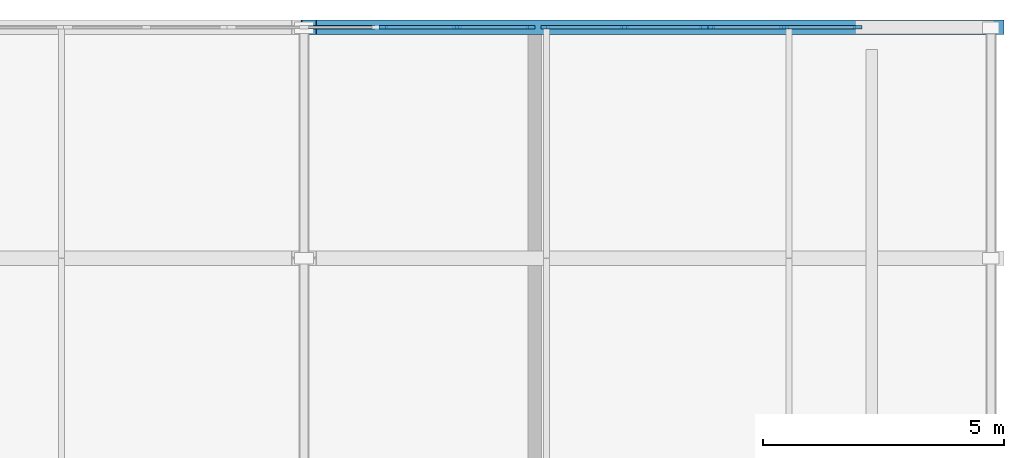
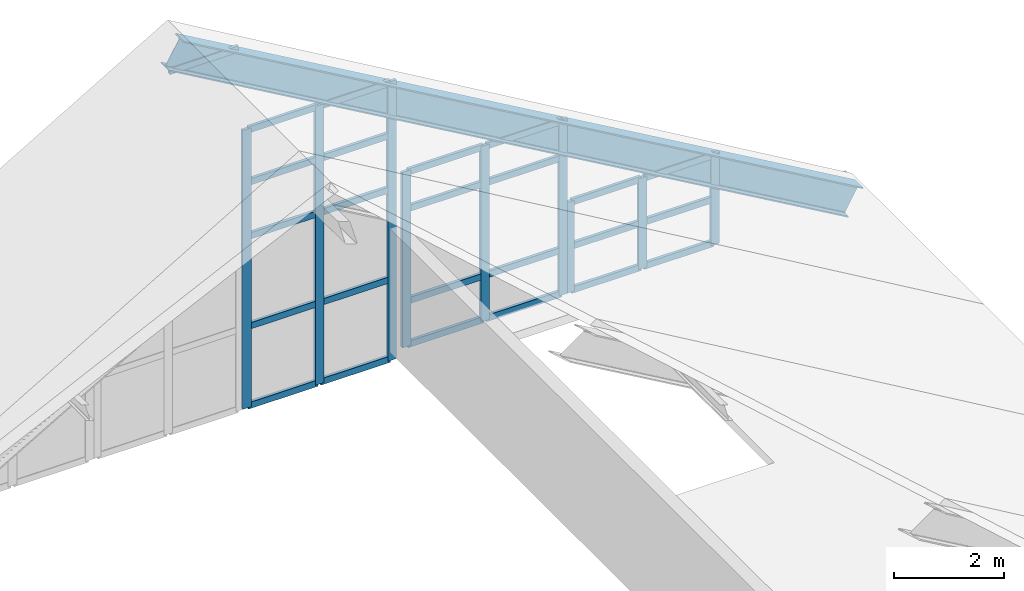
# One storey, part 4 of 7: 35 members, 4 elements without a shape of their own.
"""IFC4 building model written with IfcOpenShell, lengths in metres."""

from ifc_helpers import new_model, si_unit, direction, frame, origin, origin_2d, place, context, subcontext, project, spatial, rectangle, i_section, extrude, material, layer, layer_set, material_profile, profile_set, type_object, element, aggregate, save


model = new_model("IFC4")

# Units and contexts
model_context = context("Model", 3, precision=1e-05, world=origin(), true_north=direction((0.0, 1.0)))
body_context = subcontext(model_context, "Body", "Model", "MODEL_VIEW")
ifc_project = project(units=[si_unit("LENGTHUNIT", "METRE"), si_unit("AREAUNIT", "SQUARE_METRE"), si_unit("VOLUMEUNIT", "CUBIC_METRE"), si_unit("PLANEANGLEUNIT", "RADIAN"), si_unit("MASSUNIT", "GRAM", prefix="KILO")], contexts=[model_context])

# Site, building, storey
site_placement = place(None, origin())
site = spatial("IfcSite", under=ifc_project, at=site_placement, CompositionType="ELEMENT")
building_placement = place(site_placement, origin())
building = spatial("IfcBuilding", under=site, at=building_placement, Name="Nordkorset Police Headquarters", CompositionType="ELEMENT")
storey_placement = place(building_placement, frame((0.0, 0.0, 36.050048828125)))
storey = spatial("IfcBuildingStorey", under=building, at=storey_placement, Name="RF", CompositionType="ELEMENT", Elevation=36.050048828125)

# Curtain wall, members
ifc_material_1 = material(Name="Aluminium alloy AW-6060", Category="aluminium")
ifc_layer_1 = layer(ifc_material_1, 0.179931640625, Name="Aluminium alloy AW-6060")
ifc_layer_set_1 = layer_set([ifc_layer_1], Name="Aluminium alloy AW-6060")
curtain_wall_type_1 = type_object("IfcCurtainWallType", Name="CW_Unit_312x620", PredefinedType="USERDEFINED", material=ifc_layer_set_1)
curtain_wall_1_placement = place(storey_placement, origin())
curtain_wall_1 = element("IfcCurtainWall", 1, at=curtain_wall_1_placement, inside=storey, type_object=curtain_wall_type_1, Name="Unitised Curtain Wall RF V1GBL-N-G5", ObjectType="UNITISED CURTAIN WALL", PredefinedType="USERDEFINED")
ifc_material_2 = material(Name="Aluminium alloy AW-6060", Category="aluminium")
ifc_material_profile_1 = material_profile(ifc_material_2, rectangle(XDim=0.06494140625, YDim=0.179931640625, at=origin_2d()), Name="ALU MULL 65x180")
ifc_profile_set_1 = profile_set([ifc_material_profile_1], Name="Aluminium alloy AW-6060")
member_type_1 = type_object("IfcMemberType", Name="CW_Mullion_65x180", PredefinedType="MULLION", material=ifc_profile_set_1)
member_1_placement = place(storey_placement, frame((16.052490234375, 116.800048828125, -0.18994140625), z_axis=(0.0, 0.0, 1.0), x_axis=(0.0, 1.0, 0.0)))
member_1 = element("IfcMember", 2, at=member_1_placement, type_object=member_type_1, Name="CW-44 mullion 1", PredefinedType="MULLION", context=body_context, shape_type="SweptSolid", body=[
    extrude(rectangle(XDim=0.06494140625, YDim=0.179931640625, at=origin_2d()), origin(), (0.0, 0.0, 1.0), 6.20166015625),
])
member_2_placement = place(storey_placement, frame((17.580078125, 116.800048828125, -0.18994140625), z_axis=(0.0, 0.0, 1.0), x_axis=(0.0, 1.0, 0.0)))
member_2 = element("IfcMember", 3, at=member_2_placement, type_object=member_type_1, Name="CW-44 mullion 2", PredefinedType="MULLION", context=body_context, shape_type="SweptSolid", body=[
    extrude(rectangle(XDim=0.06494140625, YDim=0.179931640625, at=origin_2d()), origin(), (0.0, 0.0, 1.0), 6.20166015625),
])
member_3_placement = place(storey_placement, frame((19.107421875, 116.800048828125, -0.18994140625), z_axis=(0.0, 0.0, 1.0), x_axis=(0.0, 1.0, 0.0)))
member_3 = element("IfcMember", 4, at=member_3_placement, type_object=member_type_1, Name="CW-44 mullion 3", PredefinedType="MULLION", context=body_context, shape_type="SweptSolid", body=[
    extrude(rectangle(XDim=0.06494140625, YDim=0.179931640625, at=origin_2d()), origin(), (0.0, 0.0, 1.0), 6.20166015625),
])

ifc_material_3 = material(Name="Aluminium alloy AW-6060", Category="aluminium")
ifc_layer_2 = layer(ifc_material_3, 0.179931640625, Name="Aluminium alloy AW-6060")
ifc_layer_set_2 = layer_set([ifc_layer_2], Name="Aluminium alloy AW-6060")
curtain_wall_type_2 = type_object("IfcCurtainWallType", Name="CW_Unit_336x390", PredefinedType="USERDEFINED", material=ifc_layer_set_2)
curtain_wall_2_placement = place(storey_placement, origin())
curtain_wall_2 = element("IfcCurtainWall", 5, at=curtain_wall_2_placement, inside=storey, type_object=curtain_wall_type_2, Name="Unitised Curtain Wall RF V1GBL-N-G6", ObjectType="UNITISED CURTAIN WALL", PredefinedType="USERDEFINED")
member_4_placement = place(storey_placement, frame((19.41259765625, 116.800048828125, 0.0), z_axis=(0.0, 0.0, 1.0), x_axis=(0.0, 1.0, 0.0)))
member_4 = element("IfcMember", 6, at=member_4_placement, type_object=member_type_1, Name="CW-62 mullion 1", PredefinedType="MULLION", context=body_context, shape_type="SweptSolid", body=[
    extrude(rectangle(XDim=0.06494140625, YDim=0.179931640625, at=origin_2d()), origin(), (0.0, 0.0, 1.0), 3.899169921875),
])
member_5_placement = place(storey_placement, frame((21.06005859375, 116.800048828125, 0.0), z_axis=(0.0, 0.0, 1.0), x_axis=(0.0, 1.0, 0.0)))
member_5 = element("IfcMember", 7, at=member_5_placement, type_object=member_type_1, Name="CW-62 mullion 2", PredefinedType="MULLION", context=body_context, shape_type="SweptSolid", body=[
    extrude(rectangle(XDim=0.06494140625, YDim=0.179931640625, at=origin_2d()), origin(), (0.0, 0.0, 1.0), 3.899169921875),
])
member_6_placement = place(storey_placement, frame((22.70751953125, 116.800048828125, 0.0), z_axis=(0.0, 0.0, 1.0), x_axis=(0.0, 1.0, 0.0)))
member_6 = element("IfcMember", 8, at=member_6_placement, type_object=member_type_1, Name="CW-62 mullion 3", PredefinedType="MULLION", context=body_context, shape_type="SweptSolid", body=[
    extrude(rectangle(XDim=0.06494140625, YDim=0.179931640625, at=origin_2d()), origin(), (0.0, 0.0, 1.0), 3.899169921875),
])

ifc_material_4 = material(Name="Aluminium alloy AW-6060", Category="aluminium")
ifc_layer_3 = layer(ifc_material_4, 0.179931640625, Name="Aluminium alloy AW-6060")
ifc_layer_set_3 = layer_set([ifc_layer_3], Name="Aluminium alloy AW-6060")
curtain_wall_type_3 = type_object("IfcCurtainWallType", Name="CW_Unit_312x202", PredefinedType="USERDEFINED", material=ifc_layer_set_3)
curtain_wall_3_placement = place(storey_placement, origin())
curtain_wall_3 = element("IfcCurtainWall", 9, at=curtain_wall_3_placement, inside=storey, type_object=curtain_wall_type_3, Name="Unitised Curtain Wall RF V1GBL-N-G7", ObjectType="UNITISED CURTAIN WALL", PredefinedType="USERDEFINED")
member_7_placement = place(storey_placement, frame((22.8525390625, 116.800048828125, 0.0), z_axis=(0.0, 0.0, 1.0), x_axis=(0.0, 1.0, 0.0)))
member_7 = element("IfcMember", 10, at=member_7_placement, type_object=member_type_1, Name="CW-27 mullion 1", PredefinedType="MULLION", context=body_context, shape_type="SweptSolid", body=[
    extrude(rectangle(XDim=0.06494140625, YDim=0.179931640625, at=origin_2d()), origin(), (0.0, 0.0, 1.0), 2.021484375),
])
member_8_placement = place(storey_placement, frame((24.3798828125, 116.800048828125, 0.0), z_axis=(0.0, 0.0, 1.0), x_axis=(0.0, 1.0, 0.0)))
member_8 = element("IfcMember", 11, at=member_8_placement, type_object=member_type_1, Name="CW-27 mullion 2", PredefinedType="MULLION", context=body_context, shape_type="SweptSolid", body=[
    extrude(rectangle(XDim=0.06494140625, YDim=0.179931640625, at=origin_2d()), origin(), (0.0, 0.0, 1.0), 2.021484375),
])
member_9_placement = place(storey_placement, frame((25.907470703125, 116.800048828125, 0.0), z_axis=(0.0, 0.0, 1.0), x_axis=(0.0, 1.0, 0.0)))
member_9 = element("IfcMember", 12, at=member_9_placement, type_object=member_type_1, Name="CW-27 mullion 3", PredefinedType="MULLION", context=body_context, shape_type="SweptSolid", body=[
    extrude(rectangle(XDim=0.06494140625, YDim=0.179931640625, at=origin_2d()), origin(), (0.0, 0.0, 1.0), 2.021484375),
])

# Curtain wall, member
ifc_material_5 = material(Name="Aluminium alloy AW-6060", Category="aluminium")
ifc_layer_4 = layer(ifc_material_5, 0.179931640625, Name="Aluminium alloy AW-6060")
ifc_layer_set_4 = layer_set([ifc_layer_4], Name="Aluminium alloy AW-6060")
curtain_wall_type_4 = type_object("IfcCurtainWallType", Name="CW_Unit_308x808", PredefinedType="USERDEFINED", material=ifc_layer_set_4)
curtain_wall_4_placement = place(storey_placement, origin())
curtain_wall_4 = element("IfcCurtainWall", 13, at=curtain_wall_4_placement, inside=storey, type_object=curtain_wall_type_4, Name="Unitised Curtain Wall RF V1GBL-N-G4", ObjectType="UNITISED CURTAIN WALL", PredefinedType="USERDEFINED")
ifc_material_6 = material(Name="Aluminium alloy AW-6060", Category="aluminium")
ifc_material_profile_2 = material_profile(ifc_material_6, rectangle(XDim=0.06494140625, YDim=0.139892578125, at=origin_2d()), Name="ALU TRAN 65x140")
ifc_profile_set_2 = profile_set([ifc_material_profile_2], Name="Aluminium alloy AW-6060")
member_type_2 = type_object("IfcMemberType", Name="CW_Transom_65x140", PredefinedType="USERDEFINED", material=ifc_profile_set_2)
member_10_placement = place(storey_placement, frame((14.4326171875, 116.800048828125, 7.85693359375), z_axis=(1.0, 0.0, 0.0), x_axis=(0.0, 1.0, 0.0)))
member_10 = element("IfcMember", 14, at=member_10_placement, type_object=member_type_2, Name="CW-30 transom 2.5", ObjectType="TRANSOM", PredefinedType="USERDEFINED", context=body_context, shape_type="SweptSolid", body=[
    extrude(rectangle(XDim=0.06494140625, YDim=0.139892578125, at=origin_2d()), origin(), (0.0, 0.0, 1.0), 1.4423828125),
])
aggregate(curtain_wall_4, [member_10])

# Member
member_11_placement = place(storey_placement, frame((16.0849609375, 116.800048828125, -0.157470703125), z_axis=(1.0, 0.0, 0.0), x_axis=(0.0, 1.0, 0.0)))
member_11 = element("IfcMember", 15, at=member_11_placement, type_object=member_type_2, Name="CW-44 transom 1.1", ObjectType="TRANSOM", PredefinedType="USERDEFINED", context=body_context, shape_type="SweptSolid", body=[
    extrude(rectangle(XDim=0.06494140625, YDim=0.139892578125, at=origin_2d()), origin(), (0.0, 0.0, 1.0), 1.462646484375),
])

member_12_placement = place(storey_placement, frame((16.0849609375, 116.800048828125, 1.60986328125), z_axis=(1.0, 0.0, 0.0), x_axis=(0.0, 1.0, 0.0)))
member_12 = element("IfcMember", 16, at=member_12_placement, type_object=member_type_2, Name="CW-44 transom 1.2", ObjectType="TRANSOM", PredefinedType="USERDEFINED", context=body_context, shape_type="SweptSolid", body=[
    extrude(rectangle(XDim=0.06494140625, YDim=0.139892578125, at=origin_2d()), origin(), (0.0, 0.0, 1.0), 1.462646484375),
])

member_13_placement = place(storey_placement, frame((16.0849609375, 116.800048828125, 3.60986328125), z_axis=(1.0, 0.0, 0.0), x_axis=(0.0, 1.0, 0.0)))
member_13 = element("IfcMember", 17, at=member_13_placement, type_object=member_type_2, Name="CW-44 transom 1.3", ObjectType="TRANSOM", PredefinedType="USERDEFINED", context=body_context, shape_type="SweptSolid", body=[
    extrude(rectangle(XDim=0.06494140625, YDim=0.139892578125, at=origin_2d()), origin(), (0.0, 0.0, 1.0), 1.462646484375),
])

member_14_placement = place(storey_placement, frame((16.0849609375, 116.800048828125, 4.811767578125), z_axis=(1.0, 0.0, 0.0), x_axis=(0.0, 1.0, 0.0)))
member_14 = element("IfcMember", 18, at=member_14_placement, type_object=member_type_2, Name="CW-44 transom 1.4", ObjectType="TRANSOM", PredefinedType="USERDEFINED", context=body_context, shape_type="SweptSolid", body=[
    extrude(rectangle(XDim=0.06494140625, YDim=0.139892578125, at=origin_2d()), origin(), (0.0, 0.0, 1.0), 1.462646484375),
])

member_15_placement = place(storey_placement, frame((16.0849609375, 116.800048828125, 5.979248046875), z_axis=(1.0, 0.0, 0.0), x_axis=(0.0, 1.0, 0.0)))
member_15 = element("IfcMember", 19, at=member_15_placement, type_object=member_type_2, Name="CW-44 transom 1.5", ObjectType="TRANSOM", PredefinedType="USERDEFINED", context=body_context, shape_type="SweptSolid", body=[
    extrude(rectangle(XDim=0.06494140625, YDim=0.139892578125, at=origin_2d()), origin(), (0.0, 0.0, 1.0), 1.462646484375),
])

member_16_placement = place(storey_placement, frame((17.612548828125, 116.800048828125, -0.157470703125), z_axis=(1.0, 0.0, 0.0), x_axis=(0.0, 1.0, 0.0)))
member_16 = element("IfcMember", 20, at=member_16_placement, type_object=member_type_2, Name="CW-44 transom 2.1", ObjectType="TRANSOM", PredefinedType="USERDEFINED", context=body_context, shape_type="SweptSolid", body=[
    extrude(rectangle(XDim=0.06494140625, YDim=0.139892578125, at=origin_2d()), origin(), (0.0, 0.0, 1.0), 1.46240234375),
])

member_17_placement = place(storey_placement, frame((17.612548828125, 116.800048828125, 1.60986328125), z_axis=(1.0, 0.0, 0.0), x_axis=(0.0, 1.0, 0.0)))
member_17 = element("IfcMember", 21, at=member_17_placement, type_object=member_type_2, Name="CW-44 transom 2.2", ObjectType="TRANSOM", PredefinedType="USERDEFINED", context=body_context, shape_type="SweptSolid", body=[
    extrude(rectangle(XDim=0.06494140625, YDim=0.139892578125, at=origin_2d()), origin(), (0.0, 0.0, 1.0), 1.46240234375),
])

member_18_placement = place(storey_placement, frame((17.612548828125, 116.800048828125, 3.60986328125), z_axis=(1.0, 0.0, 0.0), x_axis=(0.0, 1.0, 0.0)))
member_18 = element("IfcMember", 22, at=member_18_placement, type_object=member_type_2, Name="CW-44 transom 2.3", ObjectType="TRANSOM", PredefinedType="USERDEFINED", context=body_context, shape_type="SweptSolid", body=[
    extrude(rectangle(XDim=0.06494140625, YDim=0.139892578125, at=origin_2d()), origin(), (0.0, 0.0, 1.0), 1.46240234375),
])

member_19_placement = place(storey_placement, frame((17.612548828125, 116.800048828125, 4.811767578125), z_axis=(1.0, 0.0, 0.0), x_axis=(0.0, 1.0, 0.0)))
member_19 = element("IfcMember", 23, at=member_19_placement, type_object=member_type_2, Name="CW-44 transom 2.4", ObjectType="TRANSOM", PredefinedType="USERDEFINED", context=body_context, shape_type="SweptSolid", body=[
    extrude(rectangle(XDim=0.06494140625, YDim=0.139892578125, at=origin_2d()), origin(), (0.0, 0.0, 1.0), 1.46240234375),
])

member_20_placement = place(storey_placement, frame((17.612548828125, 116.800048828125, 5.979248046875), z_axis=(1.0, 0.0, 0.0), x_axis=(0.0, 1.0, 0.0)))
member_20 = element("IfcMember", 24, at=member_20_placement, type_object=member_type_2, Name="CW-44 transom 2.5", ObjectType="TRANSOM", PredefinedType="USERDEFINED", context=body_context, shape_type="SweptSolid", body=[
    extrude(rectangle(XDim=0.06494140625, YDim=0.139892578125, at=origin_2d()), origin(), (0.0, 0.0, 1.0), 1.46240234375),
])

aggregate(curtain_wall_1, [member_1, member_2, member_3, member_11, member_12, member_13, member_14, member_15, member_16, member_17, member_18, member_19, member_20])

member_21_placement = place(storey_placement, frame((19.445068359375, 116.800048828125, 0.032470703125), z_axis=(1.0, 0.0, 0.0), x_axis=(0.0, 1.0, 0.0)))
member_21 = element("IfcMember", 25, at=member_21_placement, type_object=member_type_2, Name="CW-62 transom 1.1", ObjectType="TRANSOM", PredefinedType="USERDEFINED", context=body_context, shape_type="SweptSolid", body=[
    extrude(rectangle(XDim=0.06494140625, YDim=0.139892578125, at=origin_2d()), origin(), (0.0, 0.0, 1.0), 1.58251953125),
])

member_22_placement = place(storey_placement, frame((19.445068359375, 116.800048828125, 1.0), z_axis=(1.0, 0.0, 0.0), x_axis=(0.0, 1.0, 0.0)))
member_22 = element("IfcMember", 26, at=member_22_placement, type_object=member_type_2, Name="CW-62 transom 1.2", ObjectType="TRANSOM", PredefinedType="USERDEFINED", context=body_context, shape_type="SweptSolid", body=[
    extrude(rectangle(XDim=0.06494140625, YDim=0.139892578125, at=origin_2d()), origin(), (0.0, 0.0, 1.0), 1.58251953125),
])

member_23_placement = place(storey_placement, frame((19.445068359375, 116.800048828125, 3.04931640625), z_axis=(1.0, 0.0, 0.0), x_axis=(0.0, 1.0, 0.0)))
member_23 = element("IfcMember", 27, at=member_23_placement, type_object=member_type_2, Name="CW-62 transom 1.3", ObjectType="TRANSOM", PredefinedType="USERDEFINED", context=body_context, shape_type="SweptSolid", body=[
    extrude(rectangle(XDim=0.06494140625, YDim=0.139892578125, at=origin_2d()), origin(), (0.0, 0.0, 1.0), 1.58251953125),
])

member_24_placement = place(storey_placement, frame((19.445068359375, 116.800048828125, 3.86669921875), z_axis=(1.0, 0.0, 0.0), x_axis=(0.0, 1.0, 0.0)))
member_24 = element("IfcMember", 28, at=member_24_placement, type_object=member_type_2, Name="CW-62 transom 1.4", ObjectType="TRANSOM", PredefinedType="USERDEFINED", context=body_context, shape_type="SweptSolid", body=[
    extrude(rectangle(XDim=0.06494140625, YDim=0.139892578125, at=origin_2d()), origin(), (0.0, 0.0, 1.0), 1.58251953125),
])

member_25_placement = place(storey_placement, frame((21.092529296875, 116.800048828125, 0.032470703125), z_axis=(1.0, 0.0, 0.0), x_axis=(0.0, 1.0, 0.0)))
member_25 = element("IfcMember", 29, at=member_25_placement, type_object=member_type_2, Name="CW-62 transom 2.1", ObjectType="TRANSOM", PredefinedType="USERDEFINED", context=body_context, shape_type="SweptSolid", body=[
    extrude(rectangle(XDim=0.06494140625, YDim=0.139892578125, at=origin_2d()), origin(), (0.0, 0.0, 1.0), 1.58251953125),
])

member_26_placement = place(storey_placement, frame((21.092529296875, 116.800048828125, 1.0), z_axis=(1.0, 0.0, 0.0), x_axis=(0.0, 1.0, 0.0)))
member_26 = element("IfcMember", 30, at=member_26_placement, type_object=member_type_2, Name="CW-62 transom 2.2", ObjectType="TRANSOM", PredefinedType="USERDEFINED", context=body_context, shape_type="SweptSolid", body=[
    extrude(rectangle(XDim=0.06494140625, YDim=0.139892578125, at=origin_2d()), origin(), (0.0, 0.0, 1.0), 1.58251953125),
])

member_27_placement = place(storey_placement, frame((21.092529296875, 116.800048828125, 3.04931640625), z_axis=(1.0, 0.0, 0.0), x_axis=(0.0, 1.0, 0.0)))
member_27 = element("IfcMember", 31, at=member_27_placement, type_object=member_type_2, Name="CW-62 transom 2.3", ObjectType="TRANSOM", PredefinedType="USERDEFINED", context=body_context, shape_type="SweptSolid", body=[
    extrude(rectangle(XDim=0.06494140625, YDim=0.139892578125, at=origin_2d()), origin(), (0.0, 0.0, 1.0), 1.58251953125),
])

member_28_placement = place(storey_placement, frame((21.092529296875, 116.800048828125, 3.86669921875), z_axis=(1.0, 0.0, 0.0), x_axis=(0.0, 1.0, 0.0)))
member_28 = element("IfcMember", 32, at=member_28_placement, type_object=member_type_2, Name="CW-62 transom 2.4", ObjectType="TRANSOM", PredefinedType="USERDEFINED", context=body_context, shape_type="SweptSolid", body=[
    extrude(rectangle(XDim=0.06494140625, YDim=0.139892578125, at=origin_2d()), origin(), (0.0, 0.0, 1.0), 1.58251953125),
])

aggregate(curtain_wall_2, [member_4, member_5, member_6, member_21, member_22, member_23, member_24, member_25, member_26, member_27, member_28])

member_29_placement = place(storey_placement, frame((22.885009765625, 116.800048828125, 0.032470703125), z_axis=(1.0, 0.0, 0.0), x_axis=(0.0, 1.0, 0.0)))
member_29 = element("IfcMember", 33, at=member_29_placement, type_object=member_type_2, Name="CW-27 transom 1.1", ObjectType="TRANSOM", PredefinedType="USERDEFINED", context=body_context, shape_type="SweptSolid", body=[
    extrude(rectangle(XDim=0.06494140625, YDim=0.139892578125, at=origin_2d()), origin(), (0.0, 0.0, 1.0), 1.46240234375),
])

member_30_placement = place(storey_placement, frame((22.885009765625, 116.800048828125, 1.0107421875), z_axis=(1.0, 0.0, 0.0), x_axis=(0.0, 1.0, 0.0)))
member_30 = element("IfcMember", 34, at=member_30_placement, type_object=member_type_2, Name="CW-27 transom 1.2", ObjectType="TRANSOM", PredefinedType="USERDEFINED", context=body_context, shape_type="SweptSolid", body=[
    extrude(rectangle(XDim=0.06494140625, YDim=0.139892578125, at=origin_2d()), origin(), (0.0, 0.0, 1.0), 1.46240234375),
])

member_31_placement = place(storey_placement, frame((22.885009765625, 116.800048828125, 1.989013671875), z_axis=(1.0, 0.0, 0.0), x_axis=(0.0, 1.0, 0.0)))
member_31 = element("IfcMember", 35, at=member_31_placement, type_object=member_type_2, Name="CW-27 transom 1.3", ObjectType="TRANSOM", PredefinedType="USERDEFINED", context=body_context, shape_type="SweptSolid", body=[
    extrude(rectangle(XDim=0.06494140625, YDim=0.139892578125, at=origin_2d()), origin(), (0.0, 0.0, 1.0), 1.46240234375),
])

member_32_placement = place(storey_placement, frame((24.41259765625, 116.800048828125, 0.032470703125), z_axis=(1.0, 0.0, 0.0), x_axis=(0.0, 1.0, 0.0)))
member_32 = element("IfcMember", 36, at=member_32_placement, type_object=member_type_2, Name="CW-27 transom 2.1", ObjectType="TRANSOM", PredefinedType="USERDEFINED", context=body_context, shape_type="SweptSolid", body=[
    extrude(rectangle(XDim=0.06494140625, YDim=0.139892578125, at=origin_2d()), origin(), (0.0, 0.0, 1.0), 1.46240234375),
])

member_33_placement = place(storey_placement, frame((24.41259765625, 116.800048828125, 1.0107421875), z_axis=(1.0, 0.0, 0.0), x_axis=(0.0, 1.0, 0.0)))
member_33 = element("IfcMember", 37, at=member_33_placement, type_object=member_type_2, Name="CW-27 transom 2.2", ObjectType="TRANSOM", PredefinedType="USERDEFINED", context=body_context, shape_type="SweptSolid", body=[
    extrude(rectangle(XDim=0.06494140625, YDim=0.139892578125, at=origin_2d()), origin(), (0.0, 0.0, 1.0), 1.46240234375),
])

member_34_placement = place(storey_placement, frame((24.41259765625, 116.800048828125, 1.989013671875), z_axis=(1.0, 0.0, 0.0), x_axis=(0.0, 1.0, 0.0)))
member_34 = element("IfcMember", 38, at=member_34_placement, type_object=member_type_2, Name="CW-27 transom 2.3", ObjectType="TRANSOM", PredefinedType="USERDEFINED", context=body_context, shape_type="SweptSolid", body=[
    extrude(rectangle(XDim=0.06494140625, YDim=0.139892578125, at=origin_2d()), origin(), (0.0, 0.0, 1.0), 1.46240234375),
])

aggregate(curtain_wall_3, [member_7, member_8, member_9, member_29, member_30, member_31, member_32, member_33, member_34])

ifc_material_7 = material(Name="Steel S355J2", Category="steel")
ifc_material_profile_3 = material_profile(ifc_material_7, i_section(OverallWidth=0.300048828125, OverallDepth=0.639892578125, WebThickness=0.013427734375, FlangeThickness=0.02587890625, FilletRadius=0.027099609375, at=origin_2d()), Name="HEA 650")
ifc_profile_set_3 = profile_set([ifc_material_profile_3], Name="Steel S355J2")
member_type_3 = type_object("IfcMemberType", Name="Rafter_HEA_650", PredefinedType="RAFTER", material=ifc_profile_set_3)
member_35_placement = place(storey_placement, frame((28.7919921875, 116.800048828125, -0.010009765625), z_axis=(-0.865801712235, 0.0, 0.500387245132), x_axis=(0.0, -1.0, 0.0)))
element("IfcMember", 39, at=member_35_placement, inside=storey, type_object=member_type_3, Name="Folded-Plate Roof Rafter East 8", PredefinedType="RAFTER", context=body_context, shape_type="SweptSolid", body=[
    extrude(i_section(OverallWidth=0.300048828125, OverallDepth=0.639892578125, WebThickness=0.013427734375, FlangeThickness=0.02587890625, FilletRadius=0.027099609375, at=origin_2d()), origin(), (0.0, 0.0, 1.0), 16.50732421875),
])

save(model, "model.ifc")
